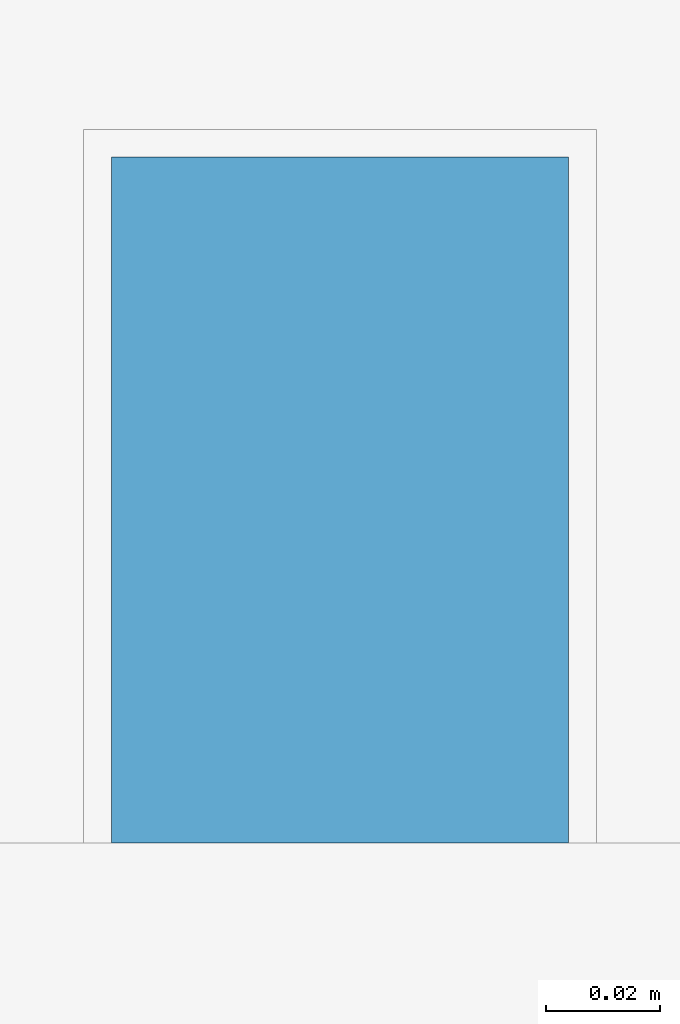
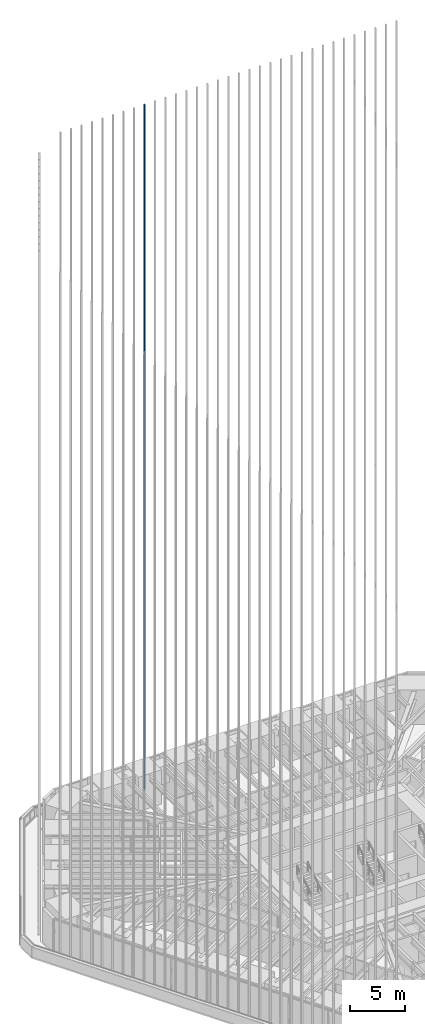
# One storey, part 162 of 238: 1 member, 1 element without a shape of its own.
"""IFC4 building model written with IfcOpenShell, lengths in metres."""

from ifc_helpers import new_model, si_unit, direction, frame, origin, origin_2d, place, context, subcontext, project, spatial, rectangle, extrude, material, material_profile, profile_set, type_object, element, aggregate, save


model = new_model("IFC4")

# Units and contexts
model_context = context("Model", 3, precision=1e-05, world=origin(), true_north=direction((0.0, 1.0)))
body_context = subcontext(model_context, "Body", "Model", "MODEL_VIEW")
ifc_project = project(units=[si_unit("LENGTHUNIT", "METRE"), si_unit("AREAUNIT", "SQUARE_METRE"), si_unit("VOLUMEUNIT", "CUBIC_METRE"), si_unit("PLANEANGLEUNIT", "RADIAN"), si_unit("MASSUNIT", "GRAM", prefix="KILO")], contexts=[model_context])

# Site, building, storey
site_placement = place(None, origin())
site = spatial("IfcSite", under=ifc_project, at=site_placement, CompositionType="ELEMENT")
building_placement = place(site_placement, origin())
building = spatial("IfcBuilding", under=site, at=building_placement, Name="Sandreach Pilgrim Tower", CompositionType="ELEMENT")
storey_placement = place(building_placement, frame((0.0, 0.0, 96.800048828125)))
storey = spatial("IfcBuildingStorey", under=building, at=storey_placement, Name="L23", CompositionType="ELEMENT", Elevation=96.800048828125)

# Curtain wall, member
ifc_material_1 = material(Name="Aluminium framed curtain wall", Category="aluminium")
curtain_wall_type = type_object("IfcCurtainWallType", Name="Hotel tower curtain wall", PredefinedType="NOTDEFINED", material=ifc_material_1)
curtain_wall_placement = place(storey_placement, origin())
curtain_wall = element("IfcCurtainWall", 1, at=curtain_wall_placement, inside=storey, type_object=curtain_wall_type, Name="CW-2 L23 N", PredefinedType="NOTDEFINED")
ifc_material_2 = material(Name="Extruded terracotta on aluminium core", Category="masonry")
ifc_material_profile = material_profile(ifc_material_2, rectangle(XDim=0.080078125, YDim=0.1201171875, at=origin_2d()), Name="TBN 80X120")
ifc_profile_set = profile_set([ifc_material_profile], Name="Extruded terracotta on aluminium core")
member_type = type_object("IfcMemberType", Name="Terracotta baguette north", PredefinedType="USERDEFINED", material=ifc_profile_set)
member_placement = place(storey_placement, frame((-8.794921875, 22.853759765625, 0.0), z_axis=(0.0, 0.0, 1.0), x_axis=(1.0, 0.0, 0.0)))
member = element("IfcMember", 2, at=member_placement, type_object=member_type, Name="Baguette Z2 N09", ObjectType="BAGUETTE", PredefinedType="USERDEFINED", context=body_context, shape_type="SweptSolid", body=[
    extrude(rectangle(XDim=0.080078125, YDim=0.1201171875, at=origin_2d()), origin(), (0.0, 0.0, 1.0), 75.83984375),
])
aggregate(curtain_wall, [member])

save(model, "model.ifc")
